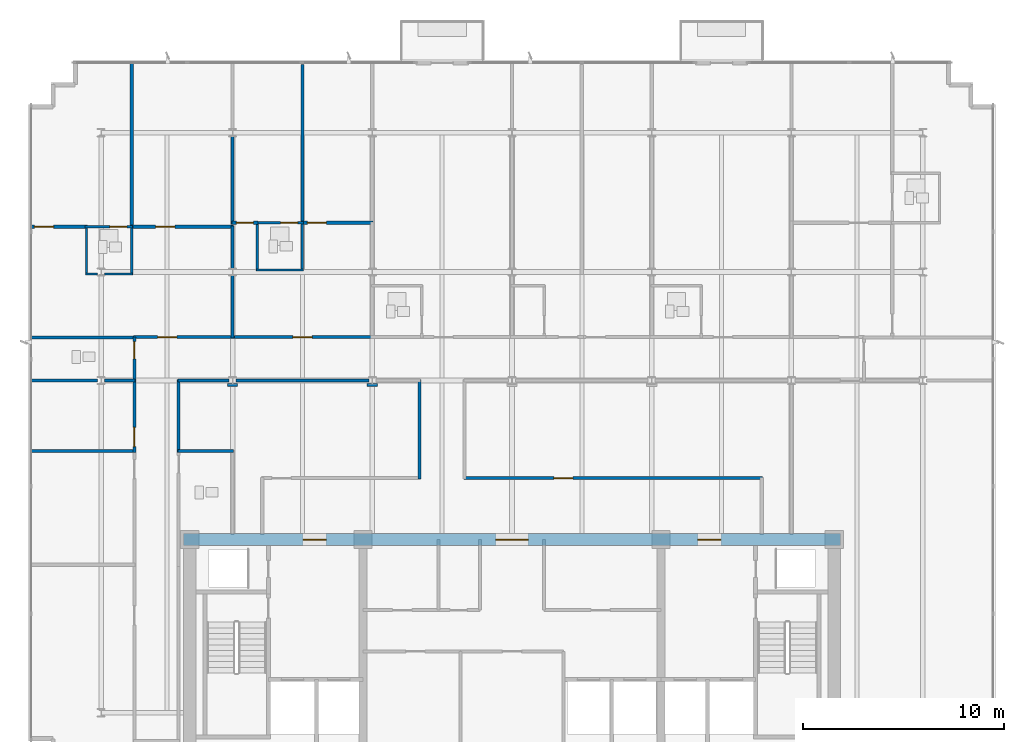
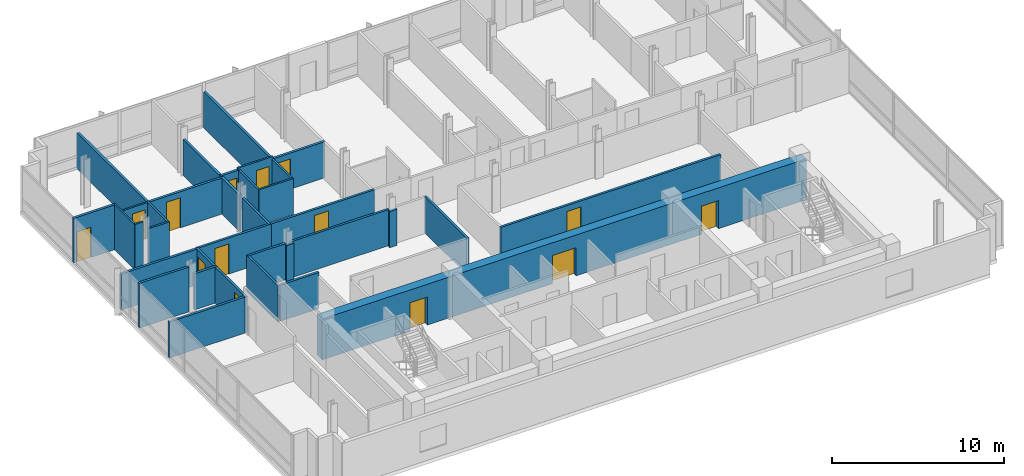
# One storey, part 9 of 14: 35 walls, 14 doors, 14 openings.
"""IFC4 building model written with IfcOpenShell, lengths in metres."""

import ifcopenshell
import ifcopenshell.guid

model = None  # the IFC model being written
_history = None  # IfcOwnerHistory: only IFC2X3 demands one
_inside = {}  # id of a spatial element -> (the spatial element, [elements in it])
_under = {}  # id of a project, library or spatial element -> (it, [spatial elements below it])
_declared = {}  # id of a project -> (the project, [libraries it declares])
_typed = {}  # id of a type object -> (the type object, [elements of that type])
_made_of = {}  # id of a material, layer set ... -> (it, [elements and type objects made of it])


def new_model(schema):
    """Start an empty IFC model of exactly this schema.

    Asked for "IFC4X3", IfcOpenShell would pick the latest addendum, in which some entities
    have other attributes; the version numbers below select the first issue.
    IFC2X3 requires an IfcOwnerHistory on every rooted entity: one is made here for all.
    """
    global model, _history
    if schema == "IFC4X3":
        model = ifcopenshell.file(schema_version=(4, 3, 0, 0))
    else:
        model = ifcopenshell.file(schema=schema)
    _inside.clear()
    _under.clear()
    _declared.clear()
    _typed.clear()
    _made_of.clear()
    _history = None
    if model.schema == "IFC2X3":
        org = make("IfcOrganization", Name="unknown")
        user = make(
            "IfcPersonAndOrganization",
            ThePerson=make("IfcPerson", FamilyName="unknown"),
            TheOrganization=org,
        )
        app = make(
            "IfcApplication",
            ApplicationDeveloper=org,
            Version="unknown",
            ApplicationFullName="unknown",
            ApplicationIdentifier="unknown",
        )
        _history = make(
            "IfcOwnerHistory",
            OwningUser=user,
            OwningApplication=app,
            ChangeAction="ADDED",
            CreationDate=0,
        )
    return model


def make(cls, **values):
    """One entity of the class cls with the attributes given. An attribute that is None is left unset."""
    return model.create_entity(
        cls, **{name: value for name, value in values.items() if value is not None}
    )


def rooted(cls, **values):
    """An entity with a GlobalId (a new one), such as an element, a storey or a relation."""
    return make(cls, GlobalId=ifcopenshell.guid.new(), OwnerHistory=_history, **values)


def si_unit(unit_type, name, prefix=None):
    """IfcSIUnit, for example si_unit("LENGTHUNIT", "METRE", prefix="MILLI")."""
    return make("IfcSIUnit", UnitType=unit_type, Prefix=prefix, Name=name)


def assignment(units):
    """IfcUnitAssignment: the units of a project."""
    return None if units is None else make("IfcUnitAssignment", Units=units)


def point(xyz):
    """IfcCartesianPoint."""
    return None if xyz is None else make("IfcCartesianPoint", Coordinates=xyz)


def direction(xyz):
    """IfcDirection."""
    return None if xyz is None else make("IfcDirection", DirectionRatios=xyz)


def frame(location, z_axis=None, x_axis=None):
    """IfcAxis2Placement3D, a coordinate frame: its origin and axes. An axis left out is left unset."""
    return make(
        "IfcAxis2Placement3D",
        Location=point(location),
        Axis=direction(z_axis),
        RefDirection=direction(x_axis),
    )


def frame_2d(location, x_axis=None):
    """IfcAxis2Placement2D, a coordinate frame in the plane: its origin and x axis."""
    return make(
        "IfcAxis2Placement2D", Location=point(location), RefDirection=direction(x_axis)
    )


def origin():
    """The frame at (0, 0, 0) with its axes left unset."""
    return frame((0.0, 0.0, 0.0))


def place(relative_to, where):
    """IfcLocalPlacement: puts the frame where relative to a parent placement (None: the world)."""
    return make(
        "IfcLocalPlacement", PlacementRelTo=relative_to, RelativePlacement=where
    )


def context(
    kind, dimensions, precision=None, world=None, true_north=None, identifier=None
):
    """IfcGeometricRepresentationContext, for example the 3D "Model" context."""
    return make(
        "IfcGeometricRepresentationContext",
        ContextIdentifier=identifier,
        ContextType=kind,
        CoordinateSpaceDimension=dimensions,
        Precision=precision,
        WorldCoordinateSystem=world,
        TrueNorth=true_north,
    )


def subcontext(parent, identifier, kind, view, scale=None):
    """IfcGeometricRepresentationSubContext, for example "Body" below "Model"."""
    return make(
        "IfcGeometricRepresentationSubContext",
        ContextIdentifier=identifier,
        ContextType=kind,
        ParentContext=parent,
        TargetScale=scale,
        TargetView=view,
    )


def project(units=None, contexts=None):
    """IfcProject with its units and contexts."""
    return rooted(
        "IfcProject",
        Name="project",
        RepresentationContexts=contexts,
        UnitsInContext=assignment(units),
    )


def spatial(cls, under=None, at=None, **own):
    """A site, building, storey or space (cls), placed at a placement, below another one or the project."""
    s = rooted(cls, ObjectPlacement=at, **own)
    if under is not None:
        _under.setdefault(under.id(), (under, []))[1].append(s)
    return s


def profile(cls, at=None, kind="AREA", **sizes):
    """A parametric profile (cls). Its sizes go by their IFC names, for example OverallWidth=200.0."""
    return make(cls, ProfileType=kind, Position=at, **sizes)


def rectangle(**sizes):
    """IfcRectangleProfileDef."""
    return profile("IfcRectangleProfileDef", **sizes)


def extrude(swept, where, along, depth):
    """IfcExtrudedAreaSolid: the profile swept, set in the frame where, extruded along a direction by depth."""
    return make(
        "IfcExtrudedAreaSolid",
        SweptArea=swept,
        Position=where,
        ExtrudedDirection=direction(along),
        Depth=depth,
    )


def shape(context_of_items, identifier, shape_type, items):
    """IfcShapeRepresentation: the items that make up one representation, for example the "Body"."""
    return make(
        "IfcShapeRepresentation",
        ContextOfItems=context_of_items,
        RepresentationIdentifier=identifier,
        RepresentationType=shape_type,
        Items=items,
    )


def material(Name=None, Category=None):
    """IfcMaterial."""
    return make("IfcMaterial", Name=Name, Category=Category)


def layer(
    of_material, thickness, ventilated=None, Name=None, Category=None, Priority=None
):
    """IfcMaterialLayer: one layer of a wall or slab, of a material (None: an air gap)."""
    return make(
        "IfcMaterialLayer",
        Material=of_material,
        LayerThickness=thickness,
        IsVentilated=ventilated,
        Name=Name,
        Category=Category,
        Priority=Priority,
    )


def layer_set(layers, Name=None):
    """IfcMaterialLayerSet."""
    return make("IfcMaterialLayerSet", MaterialLayers=layers, LayerSetName=Name)


def made_of(thing, what):
    """Note that an element or type object is made of a material, layer set ...; save() writes the relation."""
    if what is not None:
        _made_of.setdefault(what.id(), (what, []))[1].append(thing)
    return thing


def type_object(cls, material=None, **own):
    """A type object (cls), such as IfcWallType, which elements share."""
    return made_of(rooted(cls, **own), material)


def element(
    cls,
    number,
    at=None,
    inside=None,
    cuts=None,
    type_object=None,
    material=None,
    context=None,
    identifier="Body",
    shape_type=None,
    held_by="IfcProductDefinitionShape",
    body=None,
    shapes=None,
    **own,
):
    """One element of the class cls, such as IfcWall. Its Tag is "e" and its number.

    at: its placement. inside: the storey or other place that contains it. cuts: it is an
    opening in that element (IfcRelVoidsElement). A single representation is given by context,
    identifier, shape_type and body (its items); several are given by shapes. held_by: the class
    of the entity that holds the representations. save() writes the other relations.
    """
    e = rooted(cls, Tag="e%d" % number, ObjectPlacement=at, **own)
    if body is not None:
        shapes = [shape(context, identifier, shape_type, body)]
    if shapes is not None:
        e.Representation = make(held_by, Representations=shapes)
    if inside is not None:
        _inside.setdefault(inside.id(), (inside, []))[1].append(e)
    if cuts is not None:
        rooted(
            "IfcRelVoidsElement", RelatingBuildingElement=cuts, RelatedOpeningElement=e
        )
    if type_object is not None:
        _typed.setdefault(type_object.id(), (type_object, []))[1].append(e)
    return made_of(e, material)


def fill(opening, filler):
    """IfcRelFillsElement: the door or window that sits in an opening."""
    return rooted(
        "IfcRelFillsElement",
        RelatingOpeningElement=opening,
        RelatedBuildingElement=filler,
    )


def aggregate(whole, parts):
    """IfcRelAggregates: a whole, such as a stair, and the parts it consists of."""
    return rooted("IfcRelAggregates", RelatingObject=whole, RelatedObjects=parts)


def save(model, path):
    """Write the relations noted so far, then the file.

    IfcRelAggregates (storeys below a building ...), IfcRelContainedInSpatialStructure (elements
    in a storey), IfcRelDefinesByType, IfcRelAssociatesMaterial and IfcRelDeclares: one each for
    every whole, place, type object, material and project.
    """
    for whole, parts in _under.values():
        aggregate(whole, parts)
    for where, things in _inside.values():
        rooted(
            "IfcRelContainedInSpatialStructure",
            RelatedElements=things,
            RelatingStructure=where,
        )
    for kind, things in _typed.values():
        rooted("IfcRelDefinesByType", RelatedObjects=things, RelatingType=kind)
    for what, things in _made_of.values():
        rooted("IfcRelAssociatesMaterial", RelatedObjects=things, RelatingMaterial=what)
    for by, libraries in _declared.values():
        rooted("IfcRelDeclares", RelatingContext=by, RelatedDefinitions=libraries)
    model.write(path)


model = new_model("IFC4")

# Units and contexts
model_context = context("Model", 3, precision=1e-05, world=origin(), true_north=direction((0.0, 1.0)))
body_context = subcontext(model_context, "Body", "Model", "MODEL_VIEW")
ifc_project = project(units=[si_unit("LENGTHUNIT", "METRE"), si_unit("AREAUNIT", "SQUARE_METRE"), si_unit("VOLUMEUNIT", "CUBIC_METRE"), si_unit("PLANEANGLEUNIT", "RADIAN"), si_unit("MASSUNIT", "GRAM", prefix="KILO")], contexts=[model_context])

# Site, building, storey
site_placement = place(None, origin())
site = spatial("IfcSite", under=ifc_project, at=site_placement, CompositionType="ELEMENT")
building_placement = place(site_placement, origin())
building = spatial("IfcBuilding", under=site, at=building_placement, Name="Solmavex Isthmus Hotel", CompositionType="ELEMENT")
storey_placement = place(building_placement, frame((0.0, 0.0, 248.85009765625)))
storey = spatial("IfcBuildingStorey", under=building, at=storey_placement, Name="L67", CompositionType="ELEMENT", Elevation=248.85009765625)

# Wall, opening, door
ifc_material_1 = material(Name="Gypsum plasterboard lining", Category="gypsum")
ifc_layer_1 = layer(ifc_material_1, 0.159912109375)
ifc_layer_set_1 = layer_set([ifc_layer_1], Name="Gypsum plasterboard lining")
wall_type_1 = type_object("IfcWallType", Name="IW-COMP-160", PredefinedType="PARTITIONING", material=ifc_layer_set_1)
wall_1_placement = place(storey_placement, frame((-23.919921875, 13.0380859375, 0.0), z_axis=(0.0, 0.0, 1.0), x_axis=(1.0, 0.0, 0.0)))
wall_1 = element("IfcWall", 1, at=wall_1_placement, inside=storey, type_object=wall_type_1, Name="Interior Partition Wall W-L67-P037", PredefinedType="PARTITIONING", context=body_context, shape_type="SweptSolid", body=[
    extrude(rectangle(XDim=2.833984375, YDim=0.159912109375, at=frame_2d((1.4169921875, 0.0))), origin(), (0.0, 0.0, 1.0), 3.18994140625),
])
opening_1_placement = place(wall_1_placement, frame((0.2099609375, 0.0, 0.0)))
opening_1 = element("IfcOpeningElement", 2, at=opening_1_placement, cuts=wall_1, Name="Opening ID-C095", PredefinedType="OPENING", context=body_context, shape_type="SweptSolid", body=[
    extrude(rectangle(XDim=0.949951171875, YDim=2.14990234375, at=frame_2d((0.47509765625, 1.074951171875))), frame((0.0, 0.08984375, 0.0), z_axis=(0.0, -1.0, 0.0), x_axis=(1.0, 0.0, 0.0)), (0.0, 0.0, 1.0), 0.179931640625),
])
ifc_material_2 = material(Name="Hardwood timber", Category="wood")
door_type_1 = type_object("IfcDoorType", Name="IDR-FD60-0950", OperationType="NOTDEFINED", PredefinedType="DOOR", material=ifc_material_2)
door_1_placement = place(opening_1_placement, origin())
door_1 = element("IfcDoor", 3, at=door_1_placement, inside=storey, type_object=door_type_1, Name="Ambassador Suite Master Bedroom Door L67-02", OperationType="SINGLE_SWING_RIGHT", OverallHeight=2.14990234375, OverallWidth=0.949951171875, PredefinedType="DOOR", context=body_context, shape_type="SweptSolid", body=[
    extrude(rectangle(XDim=0.949951171875, YDim=2.14990234375, at=frame_2d((0.47509765625, 1.074951171875))), frame((0.0, 0.02490234375, 0.0), z_axis=(0.0, -1.0, 0.0), x_axis=(1.0, 0.0, 0.0)), (0.0, 0.0, 1.0), 0.050048828125),
])
fill(opening_1, door_1)

wall_2_placement = place(storey_placement, frame((-18.916015625, 13.0380859375, 0.0), z_axis=(0.0, 0.0, 1.0), x_axis=(1.0, 0.0, 0.0)))
wall_2 = element("IfcWall", 4, at=wall_2_placement, inside=storey, type_object=wall_type_1, Name="Interior Partition Wall W-L67-P038", PredefinedType="PARTITIONING", context=body_context, shape_type="SweptSolid", body=[
    extrude(rectangle(XDim=5.083984375, YDim=0.159912109375, at=frame_2d((2.5419921875, 0.0))), origin(), (0.0, 0.0, 1.0), 2.572265625),
])
opening_2_placement = place(wall_2_placement, frame((1.226318359375, 0.0, 0.0)))
opening_2 = element("IfcOpeningElement", 5, at=opening_2_placement, cuts=wall_2, Name="Opening ID-C095", PredefinedType="OPENING", context=body_context, shape_type="SweptSolid", body=[
    extrude(rectangle(XDim=0.949951171875, YDim=2.14990234375, at=frame_2d((0.47509765625, 1.074951171875))), frame((0.0, 0.08984375, 0.0), z_axis=(0.0, -1.0, 0.0), x_axis=(1.0, 0.0, 0.0)), (0.0, 0.0, 1.0), 0.179931640625),
])
door_2_placement = place(opening_2_placement, origin())
door_2 = element("IfcDoor", 6, at=door_2_placement, inside=storey, type_object=door_type_1, Name="Ambassador Suite Panorama Sitting Study Door L67-03", OperationType="SINGLE_SWING_LEFT", OverallHeight=2.14990234375, OverallWidth=0.949951171875, PredefinedType="DOOR", context=body_context, shape_type="SweptSolid", body=[
    extrude(rectangle(XDim=0.949951171875, YDim=2.14990234375, at=frame_2d((0.47509765625, 1.074951171875))), frame((0.0, 0.02490234375, 0.0), z_axis=(0.0, -1.0, 0.0), x_axis=(1.0, 0.0, 0.0)), (0.0, 0.0, 1.0), 0.050048828125),
])
fill(opening_2, door_2)

# Walls
wall_3_placement = place(storey_placement, frame((-13.8720703125, 10.613037109375, 0.0), z_axis=(0.0, 0.0, 1.0), x_axis=(0.0, -1.0, 0.0)))
element("IfcWall", 7, at=wall_3_placement, inside=storey, type_object=wall_type_1, Name="Interior Partition Wall W-L67-P043", PredefinedType="PARTITIONING", context=body_context, shape_type="SweptSolid", body=[
    extrude(rectangle(XDim=3.10302734375, YDim=0.159912109375, at=frame_2d((1.551513671875, 0.0))), origin(), (0.0, 0.0, 1.0), 2.572265625),
])
wall_4_placement = place(storey_placement, frame((-13.8720703125, 13.077880859375, 0.0), z_axis=(0.0, 0.0, 1.0), x_axis=(0.0, -1.0, 0.0)))
element("IfcWall", 8, at=wall_4_placement, inside=storey, type_object=wall_type_1, Name="Interior Partition Wall W-L67-P044", PredefinedType="PARTITIONING", context=body_context, shape_type="SweptSolid", body=[
    extrude(rectangle(XDim=2.114990234375, YDim=0.159912109375, at=frame_2d((1.0576171875, 0.0))), origin(), (0.0, 0.0, 1.0), 2.572265625),
])
wall_5_placement = place(storey_placement, frame((-18.7099609375, 7.530029296875, 0.0), z_axis=(0.0, 0.0, 1.0), x_axis=(-1.0, 0.0, 0.0)))
element("IfcWall", 9, at=wall_5_placement, inside=storey, type_object=wall_type_1, Name="Interior Partition Wall W-L67-P045", PredefinedType="PARTITIONING", context=body_context, shape_type="SweptSolid", body=[
    extrude(rectangle(XDim=5.2099609375, YDim=0.159912109375, at=frame_2d((2.60498046875, 0.0))), origin(), (0.0, 0.0, 1.0), 2.557373046875),
])
wall_6_placement = place(storey_placement, frame((-18.8759765625, 21.219970703125, 0.0), z_axis=(0.0, 0.0, 1.0), x_axis=(0.0, -1.0, 0.0)))
element("IfcWall", 10, at=wall_6_placement, inside=storey, type_object=wall_type_1, Name="Interior Partition Wall W-L67-P046", PredefinedType="PARTITIONING", context=body_context, shape_type="SweptSolid", body=[
    extrude(rectangle(XDim=8.221923828125, YDim=0.159912109375, at=frame_2d((4.11083984375, 0.0))), origin(), (0.0, 0.0, 1.0), 2.557373046875),
])
wall_7_placement = place(storey_placement, frame((-13.8720703125, 17.52490234375, 0.0), z_axis=(0.0, 0.0, 1.0), x_axis=(0.0, -1.0, 0.0)))
element("IfcWall", 11, at=wall_7_placement, inside=storey, type_object=wall_type_1, Name="Interior Partition Wall W-L67-P048", PredefinedType="PARTITIONING", context=body_context, shape_type="SweptSolid", body=[
    extrude(rectangle(XDim=4.368896484375, YDim=0.159912109375, at=frame_2d((2.1845703125, 0.0))), origin(), (0.0, 0.0, 1.0), 2.572265625),
])

# Wall, opening, door
wall_8_placement = place(storey_placement, frame((-13.912109375, 13.238037109375, 0.0), z_axis=(0.0, 0.0, 1.0), x_axis=(1.0, 0.0, 0.0)))
wall_8 = element("IfcWall", 12, at=wall_8_placement, inside=storey, type_object=wall_type_1, Name="Interior Partition Wall W-L67-P050", PredefinedType="PARTITIONING", context=body_context, shape_type="SweptSolid", body=[
    extrude(rectangle(XDim=1.298095703125, YDim=0.159912109375, at=frame_2d((0.64892578125, 0.0))), origin(), (0.0, 0.0, 1.0), 2.572265625),
])
opening_3_placement = place(wall_8_placement, frame((0.22412109375, 0.0, 0.0)))
opening_3 = element("IfcOpeningElement", 13, at=opening_3_placement, cuts=wall_8, Name="Opening ID-R085", PredefinedType="OPENING", context=body_context, shape_type="SweptSolid", body=[
    extrude(rectangle(XDim=0.85009765625, YDim=2.050048828125, at=frame_2d((0.425048828125, 1.02490234375))), frame((0.0, 0.08984375, 0.0), z_axis=(0.0, -1.0, 0.0), x_axis=(1.0, 0.0, 0.0)), (0.0, 0.0, 1.0), 0.179931640625),
])
ifc_material_3 = material(Name="Steel ASTM A500 Grade C", Category="steel")
door_type_2 = type_object("IfcDoorType", Name="IDR-FD60-0850", OperationType="NOTDEFINED", PredefinedType="DOOR", material=ifc_material_3)
door_3_placement = place(opening_3_placement, origin())
door_3 = element("IfcDoor", 14, at=door_3_placement, inside=storey, type_object=door_type_2, Name="Diplomatic Hospitality Suite Bedroom Door L67-06", OperationType="SINGLE_SWING_RIGHT", OverallHeight=2.050048828125, OverallWidth=0.85009765625, PredefinedType="DOOR", context=body_context, shape_type="SweptSolid", body=[
    extrude(rectangle(XDim=0.85009765625, YDim=2.050048828125, at=frame_2d((0.425048828125, 1.02490234375))), frame((0.0, 0.02490234375, 0.0), z_axis=(0.0, -1.0, 0.0), x_axis=(1.0, 0.0, 0.0)), (0.0, 0.0, 1.0), 0.050048828125),
])
fill(opening_3, door_3)

wall_9_placement = place(storey_placement, frame((-10.444091796875, 13.238037109375, 0.0), z_axis=(0.0, 0.0, 1.0), x_axis=(1.0, 0.0, 0.0)))
wall_9 = element("IfcWall", 15, at=wall_9_placement, inside=storey, type_object=wall_type_1, Name="Interior Partition Wall W-L67-P051", PredefinedType="PARTITIONING", context=body_context, shape_type="SweptSolid", body=[
    extrude(rectangle(XDim=3.548095703125, YDim=0.159912109375, at=frame_2d((1.77392578125, 0.0))), origin(), (0.0, 0.0, 1.0), 2.572265625),
])
opening_4_placement = place(wall_9_placement, frame((0.279296875, 0.0, 0.0)))
opening_4 = element("IfcOpeningElement", 16, at=opening_4_placement, cuts=wall_9, Name="Opening ID-C095", PredefinedType="OPENING", context=body_context, shape_type="SweptSolid", body=[
    extrude(rectangle(XDim=0.949951171875, YDim=2.14990234375, at=frame_2d((0.47509765625, 1.074951171875))), frame((0.0, 0.08984375, 0.0), z_axis=(0.0, -1.0, 0.0), x_axis=(1.0, 0.0, 0.0)), (0.0, 0.0, 1.0), 0.179931640625),
])
door_4_placement = place(opening_4_placement, origin())
door_4 = element("IfcDoor", 17, at=door_4_placement, inside=storey, type_object=door_type_1, Name="Diplomatic Hospitality Suite Sitting Lounge Door L67-07", OperationType="SINGLE_SWING_LEFT", OverallHeight=2.14990234375, OverallWidth=0.949951171875, PredefinedType="DOOR", context=body_context, shape_type="SweptSolid", body=[
    extrude(rectangle(XDim=0.949951171875, YDim=2.14990234375, at=frame_2d((0.47509765625, 1.074951171875))), frame((0.0, 0.02490234375, 0.0), z_axis=(0.0, -1.0, 0.0), x_axis=(1.0, 0.0, 0.0)), (0.0, 0.0, 1.0), 0.050048828125),
])
fill(opening_4, door_4)

# Walls
wall_10_placement = place(storey_placement, frame((-10.404052734375, 21.10009765625, 0.0), z_axis=(0.0, 0.0, 1.0), x_axis=(0.0, -1.0, 0.0)))
element("IfcWall", 18, at=wall_10_placement, inside=storey, type_object=wall_type_1, Name="Interior Partition Wall W-L67-P057", PredefinedType="PARTITIONING", context=body_context, shape_type="SweptSolid", body=[
    extrude(rectangle(XDim=7.902099609375, YDim=0.159912109375, at=frame_2d((3.951171875, 0.0))), origin(), (0.0, 0.0, 1.0), 2.557373046875),
])
wall_11_placement = place(storey_placement, frame((-20.574951171875, 5.39990234375, 0.0), z_axis=(0.0, 0.0, 1.0), x_axis=(-1.0, 0.0, 0.0)))
element("IfcWall", 19, at=wall_11_placement, inside=storey, type_object=wall_type_1, Name="Interior Partition Wall W-L67-P087", PredefinedType="PARTITIONING", context=body_context, shape_type="SweptSolid", body=[
    extrude(rectangle(XDim=3.344970703125, YDim=0.159912109375, at=frame_2d((1.67236328125, 0.0))), origin(), (0.0, 0.0, 1.0), 3.18994140625),
])
wall_12_placement = place(storey_placement, frame((-18.7099609375, 5.39990234375, 0.0), z_axis=(0.0, 0.0, 1.0), x_axis=(-1.0, 0.0, 0.0)))
element("IfcWall", 20, at=wall_12_placement, inside=storey, type_object=wall_type_1, Name="Interior Partition Wall W-L67-P088", PredefinedType="PARTITIONING", context=body_context, shape_type="SweptSolid", body=[
    extrude(rectangle(XDim=1.51513671875, YDim=0.159912109375, at=frame_2d((0.757568359375, 0.0))), origin(), (0.0, 0.0, 1.0), 2.572265625),
])
wall_13_placement = place(storey_placement, frame((-16.590087890625, 1.89990234375, 0.0), z_axis=(0.0, 0.0, 1.0), x_axis=(1.0, 0.0, 0.0)))
element("IfcWall", 21, at=wall_13_placement, inside=storey, type_object=wall_type_1, Name="Interior Partition Wall W-L67-P089", PredefinedType="PARTITIONING", context=body_context, shape_type="SweptSolid", body=[
    extrude(rectangle(XDim=2.758056640625, YDim=0.159912109375, at=frame_2d((1.37890625, 0.0))), origin(), (0.0, 0.0, 1.0), 2.572265625),
])
wall_14_placement = place(storey_placement, frame((-18.7099609375, 1.89990234375, 0.0), z_axis=(0.0, 0.0, 1.0), x_axis=(-1.0, 0.0, 0.0)))
element("IfcWall", 22, at=wall_14_placement, inside=storey, type_object=wall_type_1, Name="Interior Partition Wall W-L67-P093", PredefinedType="PARTITIONING", context=body_context, shape_type="SweptSolid", body=[
    extrude(rectangle(XDim=5.2099609375, YDim=0.159912109375, at=frame_2d((2.60498046875, 0.0))), origin(), (0.0, 0.0, 1.0), 2.557373046875),
])

# Wall, opening, door
ifc_layer_2 = layer(ifc_material_1, 0.14990234375)
ifc_layer_set_2 = layer_set([ifc_layer_2], Name="Gypsum plasterboard lining")
wall_type_2 = type_object("IfcWallType", Name="IW-CORR-150", PredefinedType="PARTITIONING", material=ifc_layer_set_2)
wall_15_placement = place(storey_placement, frame((-18.7900390625, 7.550048828125, 0.0), z_axis=(0.0, 0.0, 1.0), x_axis=(1.0, 0.0, 0.0)))
wall_15 = element("IfcWall", 23, at=wall_15_placement, inside=storey, type_object=wall_type_2, Name="Interior Partition Wall W-L67-P001", PredefinedType="PARTITIONING", context=body_context, shape_type="SweptSolid", body=[
    extrude(rectangle(XDim=5.0, YDim=0.14990234375, at=frame_2d((2.5, 0.0))), origin(), (0.0, 0.0, 1.0), 2.572265625),
])
opening_5_placement = place(wall_15_placement, frame((1.198486328125, 0.0, 0.0)))
opening_5 = element("IfcOpeningElement", 24, at=opening_5_placement, cuts=wall_15, Name="Opening ID-C095", PredefinedType="OPENING", context=body_context, shape_type="SweptSolid", body=[
    extrude(rectangle(XDim=0.949951171875, YDim=2.14990234375, at=frame_2d((0.47509765625, 1.074951171875))), frame((0.0, 0.0849609375, 0.0), z_axis=(0.0, -1.0, 0.0), x_axis=(1.0, 0.0, 0.0)), (0.0, 0.0, 1.0), 0.169921875),
])
door_5_placement = place(opening_5_placement, origin())
door_5 = element("IfcDoor", 25, at=door_5_placement, inside=storey, type_object=door_type_1, Name="Ambassador Suite Living Salon Door L67-01", OperationType="SINGLE_SWING_LEFT", OverallHeight=2.14990234375, OverallWidth=0.949951171875, PredefinedType="DOOR", context=body_context, shape_type="SweptSolid", body=[
    extrude(rectangle(XDim=0.949951171875, YDim=2.14990234375, at=frame_2d((0.47509765625, 1.074951171875))), frame((0.0, 0.02490234375, 0.0), z_axis=(0.0, -1.0, 0.0), x_axis=(1.0, 0.0, 0.0)), (0.0, 0.0, 1.0), 0.050048828125),
])
fill(opening_5, door_5)

wall_16_placement = place(storey_placement, frame((-13.9541015625, 7.550048828125, 0.0), z_axis=(0.0, 0.0, 1.0), x_axis=(1.0, 0.0, 0.0)))
wall_16 = element("IfcWall", 26, at=wall_16_placement, inside=storey, type_object=wall_type_2, Name="Interior Partition Wall W-L67-P002", PredefinedType="PARTITIONING", context=body_context, shape_type="SweptSolid", body=[
    extrude(rectangle(XDim=7.10009765625, YDim=0.14990234375, at=frame_2d((3.550048828125, 0.0))), origin(), (0.0, 0.0, 1.0), 2.572265625),
])
opening_6_placement = place(wall_16_placement, frame((3.074951171875, 0.0, 0.0)))
opening_6 = element("IfcOpeningElement", 27, at=opening_6_placement, cuts=wall_16, Name="Opening ID-C095", PredefinedType="OPENING", context=body_context, shape_type="SweptSolid", body=[
    extrude(rectangle(XDim=0.949951171875, YDim=2.14990234375, at=frame_2d((0.47509765625, 1.074951171875))), frame((0.0, 0.0849609375, 0.0), z_axis=(0.0, -1.0, 0.0), x_axis=(1.0, 0.0, 0.0)), (0.0, 0.0, 1.0), 0.169921875),
])
door_6_placement = place(opening_6_placement, origin())
door_6 = element("IfcDoor", 28, at=door_6_placement, inside=storey, type_object=door_type_1, Name="Diplomatic Hospitality Suite Reception Foyer Door L67-05", OperationType="SINGLE_SWING_LEFT", OverallHeight=2.14990234375, OverallWidth=0.949951171875, PredefinedType="DOOR", context=body_context, shape_type="SweptSolid", body=[
    extrude(rectangle(XDim=0.949951171875, YDim=2.14990234375, at=frame_2d((0.47509765625, 1.074951171875))), frame((0.0, 0.02490234375, 0.0), z_axis=(0.0, -1.0, 0.0), x_axis=(1.0, 0.0, 0.0)), (0.0, 0.0, 1.0), 0.050048828125),
])
fill(opening_6, door_6)

wall_17_placement = place(storey_placement, frame((-18.75, 5.318115234375, 0.0), z_axis=(0.0, 0.0, 1.0), x_axis=(0.0, 1.0, 0.0)))
wall_17 = element("IfcWall", 29, at=wall_17_placement, inside=storey, type_object=wall_type_2, Name="Interior Partition Wall W-L67-P011", PredefinedType="PARTITIONING", context=body_context, shape_type="SweptSolid", body=[
    extrude(rectangle(XDim=2.251953125, YDim=0.14990234375, at=frame_2d((1.1259765625, 0.0))), origin(), (0.0, 0.0, 1.0), 2.572265625),
])
opening_7_placement = place(wall_17_placement, frame((1.156982421875, 0.0, 0.0)))
opening_7 = element("IfcOpeningElement", 30, at=opening_7_placement, cuts=wall_17, Name="Opening ID-R085", PredefinedType="OPENING", context=body_context, shape_type="SweptSolid", body=[
    extrude(rectangle(XDim=0.85009765625, YDim=2.050048828125, at=frame_2d((0.425048828125, 1.02490234375))), frame((0.0, 0.0849609375, 0.0), z_axis=(0.0, -1.0, 0.0), x_axis=(1.0, 0.0, 0.0)), (0.0, 0.0, 1.0), 0.169921875),
])
door_7_placement = place(opening_7_placement, frame((0.85009765625, 0.0, 0.0), z_axis=(0.0, 0.0, 1.0), x_axis=(-1.0, 0.0, 0.0)))
door_7 = element("IfcDoor", 31, at=door_7_placement, inside=storey, type_object=door_type_2, Name="Accessible Public Restroom WC Door L67-20", OperationType="SINGLE_SWING_RIGHT", OverallHeight=2.050048828125, OverallWidth=0.85009765625, PredefinedType="DOOR", context=body_context, shape_type="SweptSolid", body=[
    extrude(rectangle(XDim=0.85009765625, YDim=2.050048828125, at=frame_2d((0.425048828125, 1.02490234375))), frame((0.0, 0.02490234375, 0.0), z_axis=(0.0, -1.0, 0.0), x_axis=(1.0, 0.0, 0.0)), (0.0, 0.0, 1.0), 0.050048828125),
])
fill(opening_7, door_7)

wall_18_placement = place(storey_placement, frame((-18.75, 1.818115234375, 0.0), z_axis=(0.0, 0.0, 1.0), x_axis=(0.0, 1.0, 0.0)))
wall_18 = element("IfcWall", 32, at=wall_18_placement, inside=storey, type_object=wall_type_2, Name="Interior Partition Wall W-L67-P014", PredefinedType="PARTITIONING", context=body_context, shape_type="SweptSolid", body=[
    extrude(rectangle(XDim=3.663818359375, YDim=0.14990234375, at=frame_2d((1.83203125, 0.0))), origin(), (0.0, 0.0, 1.0), 2.572265625),
])
opening_8_placement = place(wall_18_placement, frame((0.30322265625, 0.0, 0.0)))
opening_8 = element("IfcOpeningElement", 33, at=opening_8_placement, cuts=wall_18, Name="Opening ID-C095", PredefinedType="OPENING", context=body_context, shape_type="SweptSolid", body=[
    extrude(rectangle(XDim=0.949951171875, YDim=2.14990234375, at=frame_2d((0.47509765625, 1.074951171875))), frame((0.0, 0.0849609375, 0.0), z_axis=(0.0, -1.0, 0.0), x_axis=(1.0, 0.0, 0.0)), (0.0, 0.0, 1.0), 0.169921875),
])
door_8_placement = place(opening_8_placement, frame((0.949951171875, 0.0, 0.0), z_axis=(0.0, 0.0, 1.0), x_axis=(-1.0, 0.0, 0.0)))
door_8 = element("IfcDoor", 34, at=door_8_placement, inside=storey, type_object=door_type_1, Name="Reading Library Door L67-23", OperationType="SINGLE_SWING_LEFT", OverallHeight=2.14990234375, OverallWidth=0.949951171875, PredefinedType="DOOR", context=body_context, shape_type="SweptSolid", body=[
    extrude(rectangle(XDim=0.949951171875, YDim=2.14990234375, at=frame_2d((0.47509765625, 1.074951171875))), frame((0.0, 0.02490234375, 0.0), z_axis=(0.0, -1.0, 0.0), x_axis=(1.0, 0.0, 0.0)), (0.0, 0.0, 1.0), 0.050048828125),
])
fill(opening_8, door_8)

# Walls
wall_19_placement = place(storey_placement, frame((-4.587890625, 0.510009765625, 0.0), z_axis=(0.0, 0.0, 1.0), x_axis=(0.0, 1.0, 0.0)))
element("IfcWall", 35, at=wall_19_placement, inside=storey, type_object=wall_type_2, Name="Interior Partition Wall W-L67-P018", PredefinedType="PARTITIONING", context=body_context, shape_type="SweptSolid", body=[
    extrude(rectangle(XDim=4.929931640625, YDim=0.14990234375, at=frame_2d((2.46484375, 0.0))), origin(), (0.0, 0.0, 1.0), 2.572265625),
])
wall_20_placement = place(storey_placement, frame((-6.680908203125, 5.18505859375, 0.0), z_axis=(0.0, 0.0, 1.0), x_axis=(-1.0, 0.0, 0.0)))
element("IfcWall", 36, at=wall_20_placement, inside=storey, type_object=wall_type_2, Name="Interior Partition Wall W-L67-P020", PredefinedType="PARTITIONING", context=body_context, shape_type="SweptSolid", body=[
    extrude(rectangle(XDim=0.510009765625, YDim=0.14990234375, at=frame_2d((0.2548828125, 0.0))), origin(), (0.0, 0.0, 1.0), 2.572265625),
])
wall_21_placement = place(storey_placement, frame((-7.111083984375, 5.39990234375, 0.0), z_axis=(0.0, 0.0, 1.0), x_axis=(-1.0, 0.0, 0.0)))
element("IfcWall", 37, at=wall_21_placement, inside=storey, type_object=wall_type_2, Name="Interior Partition Wall W-L67-P021", PredefinedType="PARTITIONING", context=body_context, shape_type="SweptSolid", body=[
    extrude(rectangle(XDim=6.5859375, YDim=0.14990234375, at=frame_2d((3.29296875, 0.0))), origin(), (0.0, 0.0, 1.0), 2.572265625),
])
wall_22_placement = place(storey_placement, frame((-13.616943359375, 5.18505859375, 0.0), z_axis=(0.0, 0.0, 1.0), x_axis=(-1.0, 0.0, 0.0)))
element("IfcWall", 38, at=wall_22_placement, inside=storey, type_object=wall_type_2, Name="Interior Partition Wall W-L67-P022", PredefinedType="PARTITIONING", context=body_context, shape_type="SweptSolid", body=[
    extrude(rectangle(XDim=0.510009765625, YDim=0.14990234375, at=frame_2d((0.2548828125, 0.0))), origin(), (0.0, 0.0, 1.0), 2.572265625),
])
wall_23_placement = place(storey_placement, frame((-14.047119140625, 5.39990234375, 0.0), z_axis=(0.0, 0.0, 1.0), x_axis=(-1.0, 0.0, 0.0)))
element("IfcWall", 39, at=wall_23_placement, inside=storey, type_object=wall_type_2, Name="Interior Partition Wall W-L67-P023", PredefinedType="PARTITIONING", context=body_context, shape_type="SweptSolid", body=[
    extrude(rectangle(XDim=2.54296875, YDim=0.14990234375, at=frame_2d((1.271484375, 0.0))), origin(), (0.0, 0.0, 1.0), 2.572265625),
])
wall_24_placement = place(storey_placement, frame((-16.550048828125, 5.43994140625, 0.0), z_axis=(0.0, 0.0, 1.0), x_axis=(0.0, -1.0, 0.0)))
element("IfcWall", 40, at=wall_24_placement, inside=storey, type_object=wall_type_2, Name="Interior Partition Wall W-L67-P024", PredefinedType="PARTITIONING", context=body_context, shape_type="SweptSolid", body=[
    extrude(rectangle(XDim=3.621826171875, YDim=0.14990234375, at=frame_2d((1.81103515625, 0.0))), origin(), (0.0, 0.0, 1.0), 2.572265625),
])

# Wall, opening, door
wall_25_placement = place(storey_placement, frame((-2.387939453125, 0.550048828125, 0.0), z_axis=(0.0, 0.0, 1.0), x_axis=(1.0, 0.0, 0.0)))
wall_25 = element("IfcWall", 41, at=wall_25_placement, inside=storey, type_object=wall_type_2, Name="Interior Partition Wall W-L67-P031", PredefinedType="PARTITIONING", context=body_context, shape_type="SweptSolid", body=[
    extrude(rectangle(XDim=14.827880859375, YDim=0.14990234375, at=frame_2d((7.4140625, 0.0))), origin(), (0.0, 0.0, 1.0), 2.572265625),
])
opening_9_placement = place(wall_25_placement, frame((4.461181640625, 0.0, 0.0)))
opening_9 = element("IfcOpeningElement", 42, at=opening_9_placement, cuts=wall_25, Name="Opening ID-C095", PredefinedType="OPENING", context=body_context, shape_type="SweptSolid", body=[
    extrude(rectangle(XDim=0.949951171875, YDim=2.14990234375, at=frame_2d((0.47509765625, 1.074951171875))), frame((0.0, 0.0849609375, 0.0), z_axis=(0.0, -1.0, 0.0), x_axis=(1.0, 0.0, 0.0)), (0.0, 0.0, 1.0), 0.169921875),
])
door_9_placement = place(opening_9_placement, frame((0.949951171875, 0.0, 0.0), z_axis=(0.0, 0.0, 1.0), x_axis=(-1.0, 0.0, 0.0)))
door_9 = element("IfcDoor", 43, at=door_9_placement, inside=storey, type_object=door_type_1, Name="Catering Servery Kitchen Door L67-26", OperationType="SINGLE_SWING_RIGHT", OverallHeight=2.14990234375, OverallWidth=0.949951171875, PredefinedType="DOOR", context=body_context, shape_type="SweptSolid", body=[
    extrude(rectangle(XDim=0.949951171875, YDim=2.14990234375, at=frame_2d((0.47509765625, 1.074951171875))), frame((0.0, 0.02490234375, 0.0), z_axis=(0.0, -1.0, 0.0), x_axis=(1.0, 0.0, 0.0)), (0.0, 0.0, 1.0), 0.050048828125),
])
fill(opening_9, door_9)

# Walls
ifc_layer_3 = layer(ifc_material_1, 0.1201171875)
ifc_layer_set_3 = layer_set([ifc_layer_3], Name="Gypsum plasterboard lining")
wall_type_3 = type_object("IfcWallType", Name="IW-PART-120", PredefinedType="PARTITIONING", material=ifc_layer_set_3)
wall_26_placement = place(storey_placement, frame((-21.1259765625, 13.077880859375, 0.0), z_axis=(0.0, 0.0, 1.0), x_axis=(0.0, -1.0, 0.0)))
element("IfcWall", 44, at=wall_26_placement, inside=storey, type_object=wall_type_3, Name="Interior Partition Wall W-L67-P039", PredefinedType="PARTITIONING", context=body_context, shape_type="SweptSolid", body=[
    extrude(rectangle(XDim=2.429931640625, YDim=0.1201171875, at=frame_2d((1.21484375, 0.0))), origin(), (0.0, 0.0, 1.0), 3.18994140625),
])
wall_27_placement = place(storey_placement, frame((-21.166015625, 10.68798828125, 0.0), z_axis=(0.0, 0.0, 1.0), x_axis=(1.0, 0.0, 0.0)))
element("IfcWall", 45, at=wall_27_placement, inside=storey, type_object=wall_type_3, Name="Interior Partition Wall W-L67-P040", PredefinedType="PARTITIONING", context=body_context, shape_type="SweptSolid", body=[
    extrude(rectangle(XDim=0.591064453125, YDim=0.1201171875, at=frame_2d((0.29541015625, 0.0))), origin(), (0.0, 0.0, 1.0), 3.18994140625),
])
wall_28_placement = place(storey_placement, frame((-20.22509765625, 10.68798828125, 0.0), z_axis=(0.0, 0.0, 1.0), x_axis=(1.0, 0.0, 0.0)))
element("IfcWall", 46, at=wall_28_placement, inside=storey, type_object=wall_type_3, Name="Interior Partition Wall W-L67-P041", PredefinedType="PARTITIONING", context=body_context, shape_type="SweptSolid", body=[
    extrude(rectangle(XDim=1.38916015625, YDim=0.1201171875, at=frame_2d((0.694580078125, 0.0))), origin(), (0.0, 0.0, 1.0), 2.572265625),
])
wall_29_placement = place(storey_placement, frame((-18.8759765625, 10.64794921875, 0.0), z_axis=(0.0, 0.0, 1.0), x_axis=(0.0, 1.0, 0.0)))
element("IfcWall", 47, at=wall_29_placement, inside=storey, type_object=wall_type_3, Name="Interior Partition Wall W-L67-P042", PredefinedType="PARTITIONING", context=body_context, shape_type="SweptSolid", body=[
    extrude(rectangle(XDim=2.429931640625, YDim=0.1201171875, at=frame_2d((1.21484375, 0.0))), origin(), (0.0, 0.0, 1.0), 2.572265625),
])

# Wall, opening, door
wall_30_placement = place(storey_placement, frame((-18.8359375, 13.0380859375, 0.0), z_axis=(0.0, 0.0, 1.0), x_axis=(-1.0, 0.0, 0.0)))
wall_30 = element("IfcWall", 48, at=wall_30_placement, inside=storey, type_object=wall_type_3, Name="Interior Partition Wall W-L67-P047", PredefinedType="PARTITIONING", context=body_context, shape_type="SweptSolid", body=[
    extrude(rectangle(XDim=2.3720703125, YDim=0.1201171875, at=frame_2d((1.18603515625, 0.0))), origin(), (0.0, 0.0, 1.0), 2.557373046875),
])
opening_10_placement = place(wall_30_placement, frame((0.27978515625, 0.0, 0.0)))
opening_10 = element("IfcOpeningElement", 49, at=opening_10_placement, cuts=wall_30, Name="Opening ID-U085", PredefinedType="OPENING", context=body_context, shape_type="SweptSolid", body=[
    extrude(rectangle(XDim=0.85009765625, YDim=2.10009765625, at=frame_2d((0.425048828125, 1.050048828125))), frame((0.0, 0.070068359375, 0.0), z_axis=(0.0, -1.0, 0.0), x_axis=(1.0, 0.0, 0.0)), (0.0, 0.0, 1.0), 0.14013671875),
])
door_type_3 = type_object("IfcDoorType", Name="IDR-UNR-0850", OperationType="NOTDEFINED", PredefinedType="DOOR", material=ifc_material_2)
door_10_placement = place(opening_10_placement, frame((0.85009765625, 0.0, 0.0), z_axis=(0.0, 0.0, 1.0), x_axis=(-1.0, 0.0, 0.0)))
door_10 = element("IfcDoor", 50, at=door_10_placement, inside=storey, type_object=door_type_3, Name="En-suite Bathroom Door L67-04", OperationType="SINGLE_SWING_RIGHT", OverallHeight=2.10009765625, OverallWidth=0.85009765625, PredefinedType="DOOR", context=body_context, shape_type="SweptSolid", body=[
    extrude(rectangle(XDim=0.85009765625, YDim=2.10009765625, at=frame_2d((0.425048828125, 1.050048828125))), frame((0.0, 0.02490234375, 0.0), z_axis=(0.0, -1.0, 0.0), x_axis=(1.0, 0.0, 0.0)), (0.0, 0.0, 1.0), 0.050048828125),
])
fill(opening_10, door_10)

# Walls
wall_31_placement = place(storey_placement, frame((-12.654052734375, 13.278076171875, 0.0), z_axis=(0.0, 0.0, 1.0), x_axis=(0.0, -1.0, 0.0)))
element("IfcWall", 51, at=wall_31_placement, inside=storey, type_object=wall_type_3, Name="Interior Partition Wall W-L67-P052", PredefinedType="PARTITIONING", context=body_context, shape_type="SweptSolid", body=[
    extrude(rectangle(XDim=2.43017578125, YDim=0.1201171875, at=frame_2d((1.215087890625, 0.0))), origin(), (0.0, 0.0, 1.0), 2.572265625),
])
wall_32_placement = place(storey_placement, frame((-12.694091796875, 10.887939453125, 0.0), z_axis=(0.0, 0.0, 1.0), x_axis=(1.0, 0.0, 0.0)))
element("IfcWall", 52, at=wall_32_placement, inside=storey, type_object=wall_type_3, Name="Interior Partition Wall W-L67-P053", PredefinedType="PARTITIONING", context=body_context, shape_type="SweptSolid", body=[
    extrude(rectangle(XDim=2.330078125, YDim=0.1201171875, at=frame_2d((1.1650390625, 0.0))), origin(), (0.0, 0.0, 1.0), 2.572265625),
])
wall_33_placement = place(storey_placement, frame((-10.404052734375, 10.847900390625, 0.0), z_axis=(0.0, 0.0, 1.0), x_axis=(0.0, 1.0, 0.0)))
element("IfcWall", 53, at=wall_33_placement, inside=storey, type_object=wall_type_3, Name="Interior Partition Wall W-L67-P054", PredefinedType="PARTITIONING", context=body_context, shape_type="SweptSolid", body=[
    extrude(rectangle(XDim=2.43017578125, YDim=0.1201171875, at=frame_2d((1.215087890625, 0.0))), origin(), (0.0, 0.0, 1.0), 2.572265625),
])

# Wall, opening, door
wall_34_placement = place(storey_placement, frame((-10.364013671875, 13.238037109375, 0.0), z_axis=(0.0, 0.0, 1.0), x_axis=(-1.0, 0.0, 0.0)))
wall_34 = element("IfcWall", 54, at=wall_34_placement, inside=storey, type_object=wall_type_3, Name="Interior Partition Wall W-L67-P058", PredefinedType="PARTITIONING", context=body_context, shape_type="SweptSolid", body=[
    extrude(rectangle(XDim=2.3720703125, YDim=0.1201171875, at=frame_2d((1.18603515625, 0.0))), origin(), (0.0, 0.0, 1.0), 2.718017578125),
])
opening_11_placement = place(wall_34_placement, frame((0.27978515625, 0.0, 0.0)))
opening_11 = element("IfcOpeningElement", 55, at=opening_11_placement, cuts=wall_34, Name="Opening ID-U085", PredefinedType="OPENING", context=body_context, shape_type="SweptSolid", body=[
    extrude(rectangle(XDim=0.85009765625, YDim=2.10009765625, at=frame_2d((0.425048828125, 1.050048828125))), frame((0.0, 0.070068359375, 0.0), z_axis=(0.0, -1.0, 0.0), x_axis=(1.0, 0.0, 0.0)), (0.0, 0.0, 1.0), 0.14013671875),
])
door_11_placement = place(opening_11_placement, frame((0.85009765625, 0.0, 0.0), z_axis=(0.0, 0.0, 1.0), x_axis=(-1.0, 0.0, 0.0)))
door_11 = element("IfcDoor", 56, at=door_11_placement, inside=storey, type_object=door_type_3, Name="En-suite Bathroom Door L67-08", OperationType="SINGLE_SWING_RIGHT", OverallHeight=2.10009765625, OverallWidth=0.85009765625, PredefinedType="DOOR", context=body_context, shape_type="SweptSolid", body=[
    extrude(rectangle(XDim=0.85009765625, YDim=2.10009765625, at=frame_2d((0.425048828125, 1.050048828125))), frame((0.0, 0.02490234375, 0.0), z_axis=(0.0, -1.0, 0.0), x_axis=(1.0, 0.0, 0.0)), (0.0, 0.0, 1.0), 0.050048828125),
])
fill(opening_11, door_11)

# Wall, openings, doors
ifc_material_4 = material(Name="Concrete C50/60", Category="concrete")
ifc_layer_4 = layer(ifc_material_4, 0.60009765625)
ifc_layer_set_4 = layer_set([ifc_layer_4], Name="Concrete C50/60")
wall_type_4 = type_object("IfcWallType", Name="WALL-CW-600", PredefinedType="SHEAR", material=ifc_layer_set_4)
wall_35_placement = place(storey_placement, frame((-16.300048828125, -2.5, 0.0), z_axis=(0.0, 0.0, 1.0), x_axis=(1.0, 0.0, 0.0)))
wall_35 = element("IfcWall", 57, at=wall_35_placement, inside=storey, type_object=wall_type_4, Name="Core Shear Wall North L67", PredefinedType="SHEAR", context=body_context, shape_type="SweptSolid", body=[
    extrude(rectangle(XDim=32.60009765625, YDim=0.60009765625, at=frame_2d((16.300048828125, 0.0))), origin(), (0.0, 0.0, 1.0), 2.909912109375),
])
opening_12_placement = place(wall_35_placement, frame((5.925048828125, 0.0, 0.0)))
opening_12 = element("IfcOpeningElement", 58, at=opening_12_placement, cuts=wall_35, Name="Opening ID-F915", PredefinedType="OPENING", context=body_context, shape_type="SweptSolid", body=[
    extrude(rectangle(XDim=1.14990234375, YDim=2.0, at=frame_2d((0.574951171875, 1.0))), frame((0.0, 0.31005859375, 0.0), z_axis=(0.0, -1.0, 0.0), x_axis=(1.0, 0.0, 0.0)), (0.0, 0.0, 1.0), 0.6201171875),
])
opening_13_placement = place(wall_35_placement, frame((15.5, 0.0, 0.0)))
opening_13 = element("IfcOpeningElement", 59, at=opening_13_placement, cuts=wall_35, Name="Opening ID-F960", PredefinedType="OPENING", context=body_context, shape_type="SweptSolid", body=[
    extrude(rectangle(XDim=1.60009765625, YDim=2.0, at=frame_2d((0.800048828125, 1.0))), frame((0.0, 0.31005859375, 0.0), z_axis=(0.0, -1.0, 0.0), x_axis=(1.0, 0.0, 0.0)), (0.0, 0.0, 1.0), 0.6201171875),
])
opening_14_placement = place(wall_35_placement, frame((25.52490234375, 0.0, 0.0)))
opening_14 = element("IfcOpeningElement", 60, at=opening_14_placement, cuts=wall_35, Name="Opening ID-F915", PredefinedType="OPENING", context=body_context, shape_type="SweptSolid", body=[
    extrude(rectangle(XDim=1.14990234375, YDim=2.0, at=frame_2d((0.574951171875, 1.0))), frame((0.0, 0.31005859375, 0.0), z_axis=(0.0, -1.0, 0.0), x_axis=(1.0, 0.0, 0.0)), (0.0, 0.0, 1.0), 0.6201171875),
])
door_type_4 = type_object("IfcDoorType", Name="IDR-FD90-1150C", OperationType="NOTDEFINED", PredefinedType="DOOR", material=ifc_material_3)
door_12_placement = place(opening_12_placement, origin())
door_12 = element("IfcDoor", 61, at=door_12_placement, inside=storey, type_object=door_type_4, Name="Firefighting Lobby West Exit Door L67", OperationType="SINGLE_SWING_LEFT", OverallHeight=2.0, OverallWidth=1.14990234375, PredefinedType="DOOR", context=body_context, shape_type="SweptSolid", body=[
    extrude(rectangle(XDim=1.14990234375, YDim=2.0, at=frame_2d((0.574951171875, 1.0))), frame((0.0, 0.02490234375, 0.0), z_axis=(0.0, -1.0, 0.0), x_axis=(1.0, 0.0, 0.0)), (0.0, 0.0, 1.0), 0.050048828125),
])
fill(opening_12, door_12)
door_13_placement = place(opening_14_placement, origin())
door_13 = element("IfcDoor", 62, at=door_13_placement, inside=storey, type_object=door_type_4, Name="Firefighting Lobby East Exit Door L67", OperationType="SINGLE_SWING_RIGHT", OverallHeight=2.0, OverallWidth=1.14990234375, PredefinedType="DOOR", context=body_context, shape_type="SweptSolid", body=[
    extrude(rectangle(XDim=1.14990234375, YDim=2.0, at=frame_2d((0.574951171875, 1.0))), frame((0.0, 0.02490234375, 0.0), z_axis=(0.0, -1.0, 0.0), x_axis=(1.0, 0.0, 0.0)), (0.0, 0.0, 1.0), 0.050048828125),
])
fill(opening_14, door_13)
door_type_5 = type_object("IfcDoorType", Name="IDR-FD90-1600C", OperationType="NOTDEFINED", PredefinedType="DOOR", material=ifc_material_3)
door_14_placement = place(opening_13_placement, origin())
door_14 = element("IfcDoor", 63, at=door_14_placement, inside=storey, type_object=door_type_5, Name="Central Lift Lobby Door L67", OperationType="DOUBLE_DOOR_SINGLE_SWING", OverallHeight=2.0, OverallWidth=1.60009765625, PredefinedType="DOOR", context=body_context, shape_type="SweptSolid", body=[
    extrude(rectangle(XDim=1.60009765625, YDim=2.0, at=frame_2d((0.800048828125, 1.0))), frame((0.0, 0.02490234375, 0.0), z_axis=(0.0, -1.0, 0.0), x_axis=(1.0, 0.0, 0.0)), (0.0, 0.0, 1.0), 0.050048828125),
])
fill(opening_13, door_14)

save(model, "model.ifc")
